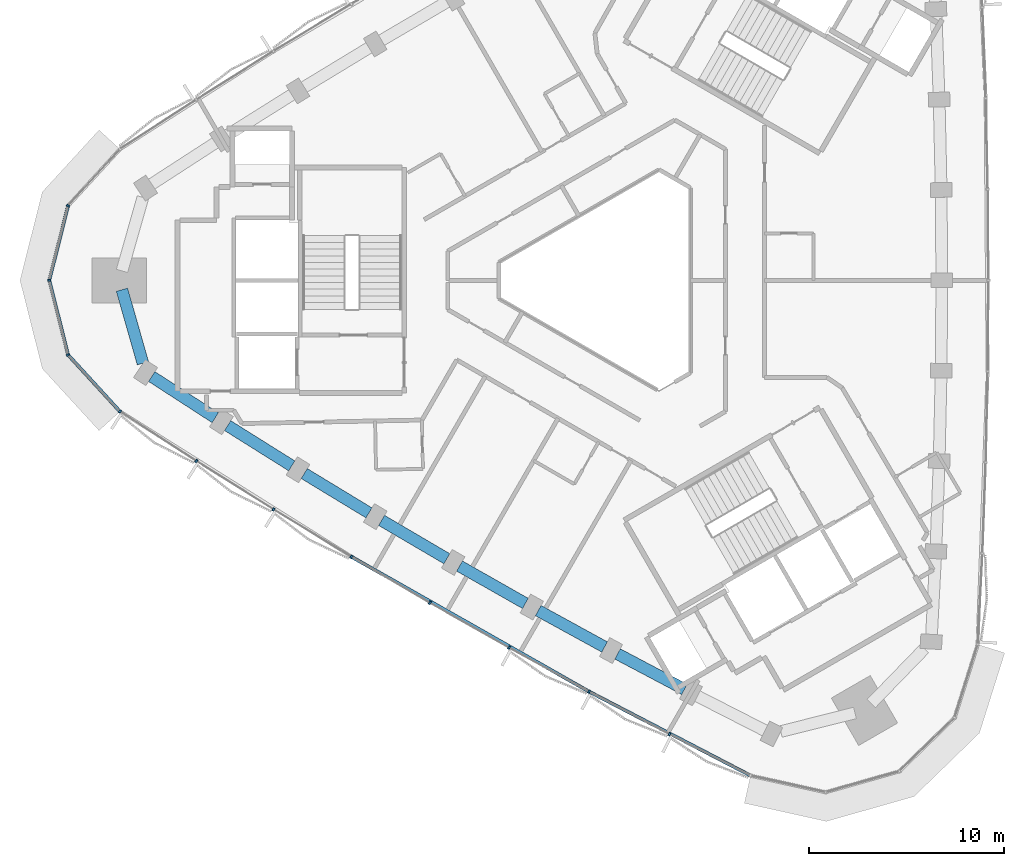
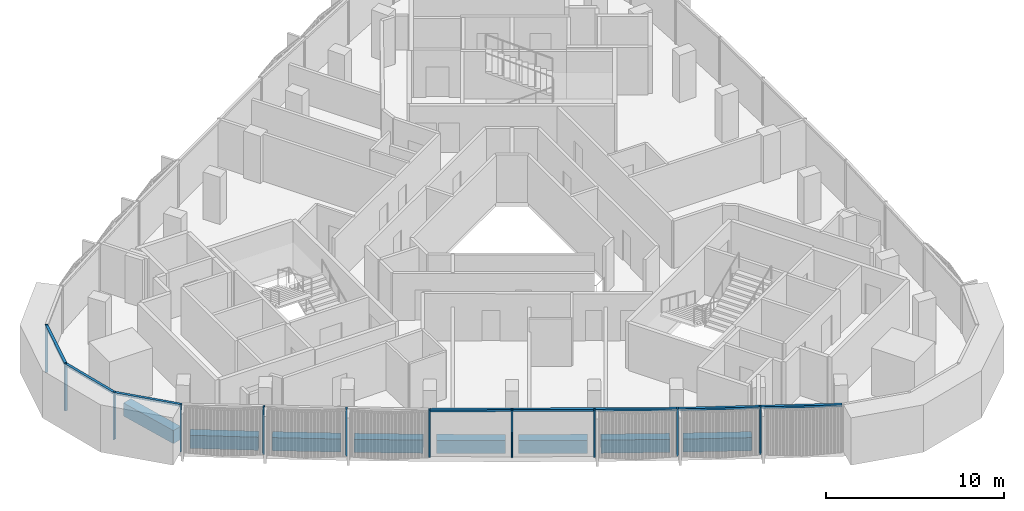
# One storey, part 2 of 16: 16 members, 8 beams, 2 elements without a shape of their own.
"""IFC4 building model written with IfcOpenShell, lengths in metres."""

from ifc_helpers import new_model, si_unit, direction, frame, origin, origin_2d, place, context, subcontext, project, spatial, rectangle, extrude, material, material_profile, profile_set, type_object, element, aggregate, save


model = new_model("IFC4")

# Units and contexts
model_context = context("Model", 3, precision=1e-05, world=origin(), true_north=direction((0.0, 1.0)))
body_context = subcontext(model_context, "Body", "Model", "MODEL_VIEW")
ifc_project = project(units=[si_unit("LENGTHUNIT", "METRE"), si_unit("AREAUNIT", "SQUARE_METRE"), si_unit("VOLUMEUNIT", "CUBIC_METRE"), si_unit("PLANEANGLEUNIT", "RADIAN"), si_unit("MASSUNIT", "GRAM", prefix="KILO")], contexts=[model_context])

# Site, building, storey
site_placement = place(None, origin())
site = spatial("IfcSite", under=ifc_project, at=site_placement, CompositionType="ELEMENT")
building_placement = place(site_placement, origin())
building = spatial("IfcBuilding", under=site, at=building_placement, Name="Tamra Quay Hotel Tower", CompositionType="ELEMENT")
storey_placement = place(building_placement, frame((0.0, 0.0, 239.39990234375)))
storey = spatial("IfcBuildingStorey", under=building, at=storey_placement, Name="L60", CompositionType="ELEMENT", Elevation=239.39990234375)

# Curtain wall, members
ifc_material_1 = material(Name="Aluminium 6063 anodised dark grey", Category="aluminium")
curtain_wall_type_1 = type_object("IfcCurtainWallType", Name="CW2 CURTAIN WALL", PredefinedType="NOTDEFINED", material=ifc_material_1)
curtain_wall_1_placement = place(storey_placement, origin())
curtain_wall_1 = element("IfcCurtainWall", 1, at=curtain_wall_1_placement, inside=storey, type_object=curtain_wall_type_1, Name="CW2 north-west face L60", PredefinedType="NOTDEFINED")
ifc_material_profile_1 = material_profile(ifc_material_1, rectangle(XDim=0.169921875, YDim=0.10009765625, at=origin_2d()), Name="MULLION 100X170")
ifc_profile_set_1 = profile_set([ifc_material_profile_1], Name="Aluminium 6063 anodised dark grey")
member_type_1 = type_object("IfcMemberType", Name="MULLION CW2 Z5", PredefinedType="MULLION", material=ifc_profile_set_1)
member_1_placement = place(storey_placement, frame((-28.0439453125, 3.812744140625, 0.0), z_axis=(0.0, 0.0, 1.0), x_axis=(-0.880266804781, 0.474479032624, 0.0)))
member_1 = element("IfcMember", 2, at=member_1_placement, type_object=member_type_1, Name="CW2 mullion L60.NW.10", PredefinedType="MULLION", context=body_context, shape_type="SweptSolid", body=[
    extrude(rectangle(XDim=0.169921875, YDim=0.10009765625, at=origin_2d()), origin(), (0.0, 0.0, 1.0), 3.25),
])
member_2_placement = place(storey_placement, frame((-29.006103515625, 0.0, 0.0), z_axis=(0.0, 0.0, 1.0), x_axis=(-1.0, 0.0, 0.0)))
member_2 = element("IfcMember", 3, at=member_2_placement, type_object=member_type_1, Name="CW2 mullion L60.NW.11", PredefinedType="MULLION", context=body_context, shape_type="SweptSolid", body=[
    extrude(rectangle(XDim=0.169921875, YDim=0.10009765625, at=origin_2d()), origin(), (0.0, 0.0, 1.0), 3.25),
])
member_3_placement = place(storey_placement, frame((-28.0439453125, -3.812744140625, 0.0), z_axis=(0.0, 0.0, 1.0), x_axis=(-0.880266804781, -0.474479032624, 0.0)))
member_3 = element("IfcMember", 4, at=member_3_placement, type_object=member_type_1, Name="CW2 mullion L60.NW.12", PredefinedType="MULLION", context=body_context, shape_type="SweptSolid", body=[
    extrude(rectangle(XDim=0.169921875, YDim=0.10009765625, at=origin_2d()), origin(), (0.0, 0.0, 1.0), 3.25),
])

curtain_wall_type_2 = type_object("IfcCurtainWallType", Name="CW3 CURTAIN WALL", PredefinedType="NOTDEFINED", material=ifc_material_1)
curtain_wall_2_placement = place(storey_placement, origin())
curtain_wall_2 = element("IfcCurtainWall", 5, at=curtain_wall_2_placement, inside=storey, type_object=curtain_wall_type_2, Name="CW3 south-west face L60", PredefinedType="NOTDEFINED")
ifc_material_profile_2 = material_profile(ifc_material_1, rectangle(XDim=0.169921875, YDim=0.10009765625, at=origin_2d()), Name="MULLION 100X170")
ifc_profile_set_2 = profile_set([ifc_material_profile_2], Name="Aluminium 6063 anodised dark grey")
member_type_2 = type_object("IfcMemberType", Name="MULLION CW3 Z5", PredefinedType="MULLION", material=ifc_profile_set_2)
member_4_placement = place(storey_placement, frame((-25.387939453125, -6.712646484375, 0.0), z_axis=(0.0, 0.0, 1.0), x_axis=(-0.64584626761, -0.763467483665, 0.0)))
member_4 = element("IfcMember", 6, at=member_4_placement, type_object=member_type_2, Name="CW3 mullion L60.SW.1", PredefinedType="MULLION", context=body_context, shape_type="SweptSolid", body=[
    extrude(rectangle(XDim=0.169921875, YDim=0.10009765625, at=origin_2d()), origin(), (0.0, 0.0, 1.0), 3.25),
])
member_5_placement = place(storey_placement, frame((-21.477294921875, -9.2470703125, 0.0), z_axis=(0.0, 0.0, 1.0), x_axis=(-0.537683846902, -0.84314653577, 0.0)))
member_5 = element("IfcMember", 7, at=member_5_placement, type_object=member_type_2, Name="CW3 mullion L60.SW.2", PredefinedType="MULLION", context=body_context, shape_type="SweptSolid", body=[
    extrude(rectangle(XDim=0.169921875, YDim=0.10009765625, at=origin_2d()), origin(), (0.0, 0.0, 1.0), 3.25),
])
member_6_placement = place(storey_placement, frame((-17.529296875, -11.72412109375, 0.0), z_axis=(0.0, 0.0, 1.0), x_axis=(-0.525248544196, -0.850948862635, 0.0)))
member_6 = element("IfcMember", 8, at=member_6_placement, type_object=member_type_2, Name="CW3 mullion L60.SW.3", PredefinedType="MULLION", context=body_context, shape_type="SweptSolid", body=[
    extrude(rectangle(XDim=0.169921875, YDim=0.10009765625, at=origin_2d()), origin(), (0.0, 0.0, 1.0), 3.25),
])
member_7_placement = place(storey_placement, frame((-13.546630859375, -14.14208984375, 0.0), z_axis=(0.0, 0.0, 1.0), x_axis=(-0.512687551289, -0.858575258643, 0.0)))
member_7 = element("IfcMember", 9, at=member_7_placement, type_object=member_type_2, Name="CW3 mullion L60.SW.4", PredefinedType="MULLION", context=body_context, shape_type="SweptSolid", body=[
    extrude(rectangle(XDim=0.169921875, YDim=0.10009765625, at=origin_2d()), origin(), (0.0, 0.0, 1.0), 3.25),
])
member_8_placement = place(storey_placement, frame((-9.527587890625, -16.502197265625, 0.0), z_axis=(0.0, 0.0, 1.0), x_axis=(-0.5, -0.866025403784, 0.0)))
member_8 = element("IfcMember", 10, at=member_8_placement, type_object=member_type_2, Name="CW3 mullion L60.SW.5", PredefinedType="MULLION", context=body_context, shape_type="SweptSolid", body=[
    extrude(rectangle(XDim=0.169921875, YDim=0.10009765625, at=origin_2d()), origin(), (0.0, 0.0, 1.0), 3.25),
])
member_9_placement = place(storey_placement, frame((-5.47412109375, -18.802978515625, 0.0), z_axis=(0.0, 0.0, 1.0), x_axis=(-0.487204209401, -0.873288072942, 0.0)))
member_9 = element("IfcMember", 11, at=member_9_placement, type_object=member_type_2, Name="CW3 mullion L60.SW.6", PredefinedType="MULLION", context=body_context, shape_type="SweptSolid", body=[
    extrude(rectangle(XDim=0.169921875, YDim=0.10009765625, at=origin_2d()), origin(), (0.0, 0.0, 1.0), 3.25),
])
member_10_placement = place(storey_placement, frame((-1.388671875, -21.04296875, 0.0), z_axis=(0.0, 0.0, 1.0), x_axis=(-0.474319060265, -0.880353013892, 0.0)))
member_10 = element("IfcMember", 12, at=member_10_placement, type_object=member_type_2, Name="CW3 mullion L60.SW.7", PredefinedType="MULLION", context=body_context, shape_type="SweptSolid", body=[
    extrude(rectangle(XDim=0.169921875, YDim=0.10009765625, at=origin_2d()), origin(), (0.0, 0.0, 1.0), 3.25),
])
member_11_placement = place(storey_placement, frame((2.730712890625, -23.223388671875, 0.0), z_axis=(0.0, 0.0, 1.0), x_axis=(-0.461344395639, -0.887221138507, 0.0)))
member_11 = element("IfcMember", 13, at=member_11_placement, type_object=member_type_2, Name="CW3 mullion L60.SW.8", PredefinedType="MULLION", context=body_context, shape_type="SweptSolid", body=[
    extrude(rectangle(XDim=0.169921875, YDim=0.10009765625, at=origin_2d()), origin(), (0.0, 0.0, 1.0), 3.25),
])

# Beams
ifc_material_2 = material(Name="Concrete M60", Category="concrete")
ifc_material_profile_3 = material_profile(ifc_material_2, rectangle(XDim=0.60009765625, YDim=0.89990234375, at=origin_2d()), Name="SPANDREL BEAM RC 600x900")
ifc_profile_set_3 = profile_set([ifc_material_profile_3], Name="Concrete M60")
beam_type = type_object("IfcBeamType", Name="SPANDREL BEAM RC 600x900", PredefinedType="SPANDREL", material=ifc_profile_set_3)
beam_1_placement = place(storey_placement, frame((-25.28369140625, -0.48046875, -0.7998046875), z_axis=(0.273913429616, -0.961754351732, 0.0), x_axis=(0.961754351732, 0.273913429616, 0.0)))
element("IfcBeam", 14, at=beam_1_placement, inside=storey, type_object=beam_type, Name="BM-SP5-019-L60", PredefinedType="SPANDREL", context=body_context, shape_type="SweptSolid", body=[
    extrude(rectangle(XDim=0.60009765625, YDim=0.89990234375, at=origin_2d()), origin(), (0.0, 0.0, 1.0), 3.912841796875),
])
beam_2_placement = place(storey_placement, frame((-23.76171875, -4.923583984375, -0.7998046875), z_axis=(0.839181205466, -0.543851914029, 0.0), x_axis=(0.543851914029, 0.839181205466, 0.0)))
element("IfcBeam", 15, at=beam_2_placement, inside=storey, type_object=beam_type, Name="BM-SP5-020-L60", PredefinedType="SPANDREL", context=body_context, shape_type="SweptSolid", body=[
    extrude(rectangle(XDim=0.60009765625, YDim=0.89990234375, at=origin_2d()), origin(), (0.0, 0.0, 1.0), 3.87548828125),
])
beam_3_placement = place(storey_placement, frame((-19.877197265625, -7.4345703125, -0.7998046875), z_axis=(0.847066119134, -0.53148752555, 0.0), x_axis=(0.53148752555, 0.847066119134, 0.0)))
element("IfcBeam", 16, at=beam_3_placement, inside=storey, type_object=beam_type, Name="BM-SP5-021-L60", PredefinedType="SPANDREL", context=body_context, shape_type="SweptSolid", body=[
    extrude(rectangle(XDim=0.60009765625, YDim=0.89990234375, at=origin_2d()), origin(), (0.0, 0.0, 1.0), 3.875),
])
beam_4_placement = place(storey_placement, frame((-15.95654296875, -9.887939453125, -0.7998046875), z_axis=(0.854785519234, -0.518981421737, 0.0), x_axis=(0.518981421737, 0.854785519234, 0.0)))
element("IfcBeam", 17, at=beam_4_placement, inside=storey, type_object=beam_type, Name="BM-SP5-022-L60", PredefinedType="SPANDREL", context=body_context, shape_type="SweptSolid", body=[
    extrude(rectangle(XDim=0.60009765625, YDim=0.89990234375, at=origin_2d()), origin(), (0.0, 0.0, 1.0), 3.875732421875),
])
beam_5_placement = place(storey_placement, frame((-11.999755859375, -12.283935546875, -0.7998046875), z_axis=(0.862324287816, -0.506356418585, 0.0), x_axis=(0.506356418585, 0.862324287816, 0.0)))
element("IfcBeam", 18, at=beam_5_placement, inside=storey, type_object=beam_type, Name="BM-SP5-023-L60", PredefinedType="SPANDREL", context=body_context, shape_type="SweptSolid", body=[
    extrude(rectangle(XDim=0.60009765625, YDim=0.89990234375, at=origin_2d()), origin(), (0.0, 0.0, 1.0), 3.875),
])
beam_6_placement = place(storey_placement, frame((-8.008544921875, -14.62109375, -0.7998046875), z_axis=(0.86967787455, -0.493619686113, 0.0), x_axis=(0.493619686113, 0.86967787455, 0.0)))
element("IfcBeam", 19, at=beam_6_placement, inside=storey, type_object=beam_type, Name="BM-SP5-024-L60", PredefinedType="SPANDREL", context=body_context, shape_type="SweptSolid", body=[
    extrude(rectangle(XDim=0.60009765625, YDim=0.89990234375, at=origin_2d()), origin(), (0.0, 0.0, 1.0), 3.875244140625),
])
beam_7_placement = place(storey_placement, frame((-3.9833984375, -16.8994140625, -0.7998046875), z_axis=(0.876838966376, -0.480784179279, 0.0), x_axis=(0.480784179279, 0.876838966376, 0.0)))
element("IfcBeam", 20, at=beam_7_placement, inside=storey, type_object=beam_type, Name="BM-SP5-025-L60", PredefinedType="SPANDREL", context=body_context, shape_type="SweptSolid", body=[
    extrude(rectangle(XDim=0.60009765625, YDim=0.89990234375, at=origin_2d()), origin(), (0.0, 0.0, 1.0), 3.87548828125),
])
beam_8_placement = place(storey_placement, frame((0.0751953125, -19.118408203125, -0.7998046875), z_axis=(0.883803240878, -0.467858772937, 0.0), x_axis=(0.467858772937, 0.883803240878, 0.0)))
element("IfcBeam", 21, at=beam_8_placement, inside=storey, type_object=beam_type, Name="BM-SP5-026-L60", PredefinedType="SPANDREL", context=body_context, shape_type="SweptSolid", body=[
    extrude(rectangle(XDim=0.60009765625, YDim=0.89990234375, at=origin_2d()), origin(), (0.0, 0.0, 1.0), 3.875),
])

# Member
ifc_material_profile_4 = material_profile(ifc_material_1, rectangle(XDim=0.169921875, YDim=0.139892578125, at=origin_2d()), Name="TRANSOM 170X140")
ifc_profile_set_4 = profile_set([ifc_material_profile_4], Name="Aluminium 6063 anodised dark grey")
member_type_3 = type_object("IfcMemberType", Name="TRANSOM CW2 Z5", PredefinedType="USERDEFINED", material=ifc_profile_set_4)
member_12_placement = place(storey_placement, frame((-28.05615234375, 3.764404296875, 3.18017578125), z_axis=(-0.244693523111, -0.969600474292, 0.0), x_axis=(0.969600474292, -0.244693523111, 0.0)))
member_12 = element("IfcMember", 22, at=member_12_placement, type_object=member_type_3, Name="CW2 transom L60.NW.10", ObjectType="TRANSOM", PredefinedType="USERDEFINED", context=body_context, shape_type="SweptSolid", body=[
    extrude(rectangle(XDim=0.169921875, YDim=0.139892578125, at=origin_2d()), origin(), (0.0, 0.0, 1.0), 3.832275390625),
])

member_13_placement = place(storey_placement, frame((-28.993896484375, -0.048583984375, 3.18017578125), z_axis=(0.244693523111, -0.969600474292, 0.0), x_axis=(0.969600474292, 0.244693523111, 0.0)))
member_13 = element("IfcMember", 23, at=member_13_placement, type_object=member_type_3, Name="CW2 transom L60.NW.11", ObjectType="TRANSOM", PredefinedType="USERDEFINED", context=body_context, shape_type="SweptSolid", body=[
    extrude(rectangle(XDim=0.169921875, YDim=0.139892578125, at=origin_2d()), origin(), (0.0, 0.0, 1.0), 3.832275390625),
])

member_14_placement = place(storey_placement, frame((-28.01025390625, -3.849609375, 3.18017578125), z_axis=(0.675436113267, -0.737418508647, 0.0), x_axis=(0.737418508647, 0.675436113267, 0.0)))
member_14 = element("IfcMember", 24, at=member_14_placement, type_object=member_type_3, Name="CW2 transom L60.NW.12", ObjectType="TRANSOM", PredefinedType="USERDEFINED", context=body_context, shape_type="SweptSolid", body=[
    extrude(rectangle(XDim=0.169921875, YDim=0.139892578125, at=origin_2d()), origin(), (0.0, 0.0, 1.0), 3.83251953125),
])

aggregate(curtain_wall_1, [member_1, member_12, member_2, member_13, member_3, member_14])

ifc_material_profile_5 = material_profile(ifc_material_1, rectangle(XDim=0.169921875, YDim=0.139892578125, at=origin_2d()), Name="TRANSOM 170X140")
ifc_profile_set_5 = profile_set([ifc_material_profile_5], Name="Aluminium 6063 anodised dark grey")
member_type_4 = type_object("IfcMemberType", Name="TRANSOM CW3 Z5", PredefinedType="USERDEFINED", material=ifc_profile_set_5)
member_15_placement = place(storey_placement, frame((-13.503662109375, -14.16748046875, 3.18017578125), z_axis=(0.869680201003, -0.493615587257, 0.0), x_axis=(0.493615587257, 0.869680201003, 0.0)))
member_15 = element("IfcMember", 25, at=member_15_placement, type_object=member_type_4, Name="CW3 transom L60.SW.4", ObjectType="TRANSOM", PredefinedType="USERDEFINED", context=body_context, shape_type="SweptSolid", body=[
    extrude(rectangle(XDim=0.169921875, YDim=0.139892578125, at=origin_2d()), origin(), (0.0, 0.0, 1.0), 13.8798828125),
])

member_16_placement = place(storey_placement, frame((-1.344482421875, -21.06640625, 3.18017578125), z_axis=(0.887229373017, -0.461328559332, 0.0), x_axis=(0.461328559332, 0.887229373017, 0.0)))
member_16 = element("IfcMember", 26, at=member_16_placement, type_object=member_type_4, Name="CW3 transom L60.SW.7", ObjectType="TRANSOM", PredefinedType="USERDEFINED", context=body_context, shape_type="SweptSolid", body=[
    extrude(rectangle(XDim=0.169921875, YDim=0.139892578125, at=origin_2d()), origin(), (0.0, 0.0, 1.0), 9.220458984375),
])

aggregate(curtain_wall_2, [member_4, member_5, member_6, member_7, member_15, member_8, member_9, member_10, member_16, member_11])

save(model, "model.ifc")
